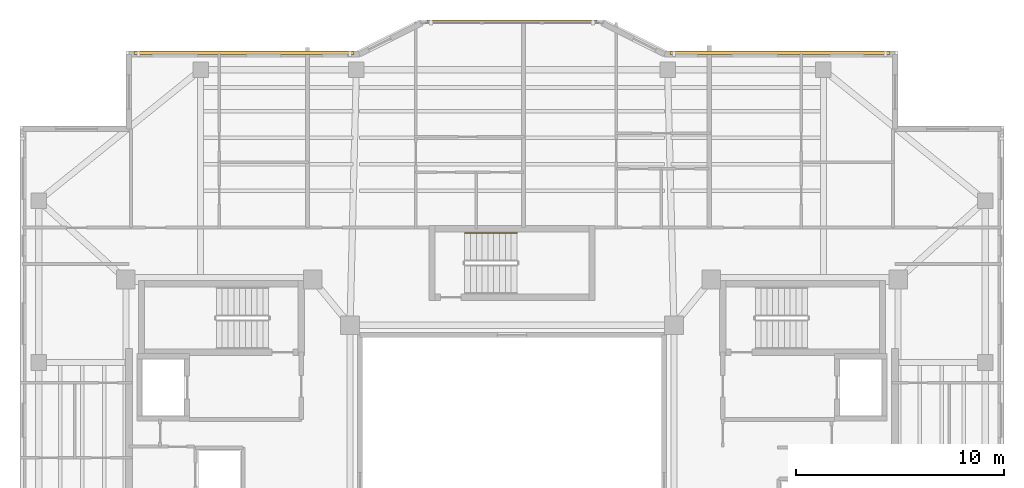
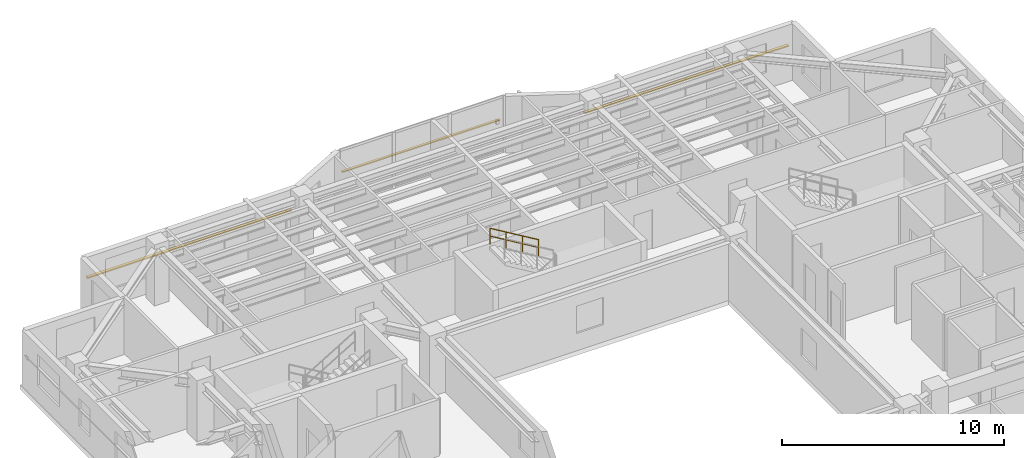
# One storey, part 12 of 12: 3 shading devices, 1 railing.
"""IFC4 building model written with IfcOpenShell, lengths in metres."""

from ifc_helpers import new_model, si_unit, direction, frame, origin, origin_2d, place, context, subcontext, project, spatial, rectangle, circle, extrude, material, material_profile, profile_set, type_object, element, save


model = new_model("IFC4")

# Units and contexts
model_context = context("Model", 3, precision=1e-05, world=origin(), true_north=direction((0.0, 1.0)))
body_context = subcontext(model_context, "Body", "Model", "MODEL_VIEW")
ifc_project = project(units=[si_unit("LENGTHUNIT", "METRE"), si_unit("AREAUNIT", "SQUARE_METRE"), si_unit("VOLUMEUNIT", "CUBIC_METRE"), si_unit("PLANEANGLEUNIT", "RADIAN"), si_unit("MASSUNIT", "GRAM", prefix="KILO")], contexts=[model_context])

# Site, building, storey
site_placement = place(None, origin())
site = spatial("IfcSite", under=ifc_project, at=site_placement, CompositionType="ELEMENT")
building_placement = place(site_placement, origin())
building = spatial("IfcBuilding", under=site, at=building_placement, Name="Tarnavaz Court Tower", CompositionType="ELEMENT")
storey_placement = place(building_placement, frame((0.0, 0.0, 207.0)))
storey = spatial("IfcBuildingStorey", under=building, at=storey_placement, Name="L56", CompositionType="ELEMENT", Elevation=207.0)

# Railing
ifc_material_1 = material(Name="Brushed Stainless Steel", Category="steel")
railing_type = type_object("IfcRailingType", Name="RL-HANDRAIL-900", PredefinedType="HANDRAIL", material=ifc_material_1)
railing_placement = place(storey_placement, frame((0.239990234375, 12.239990234375, 1.842529296875)))
element("IfcRailing", 1, at=railing_placement, inside=storey, type_object=railing_type, Name="L56 ST-N1 stair handrail 2", PredefinedType="HANDRAIL", context=body_context, shape_type="SweptSolid", body=[
    extrude(circle(Radius=0.02392578125, at=origin_2d()), frame((0.0, 0.0, 0.8759765625), z_axis=(-0.858159760407, 0.0, 0.513382728203), x_axis=(0.0, -1.0, 0.0)), (0.0, 0.0, 1.0), 2.9365234375),
    extrude(circle(Radius=0.02392578125, at=origin_2d()), frame((0.0, 0.0, 0.449951171875), z_axis=(-0.858159760407, 0.0, 0.513382728203), x_axis=(0.0, -1.0, 0.0)), (0.0, 0.0, 1.0), 2.9365234375),
    extrude(circle(Radius=0.02099609375, at=origin_2d()), origin(), (0.0, 0.0, 1.0), 0.851806640625),
    extrude(circle(Radius=0.02099609375, at=origin_2d()), frame((-0.840087890625, 0.0, 0.50244140625)), (0.0, 0.0, 1.0), 0.851806640625),
    extrude(circle(Radius=0.02099609375, at=origin_2d()), frame((-1.679931640625, 0.0, 1.005126953125)), (0.0, 0.0, 1.0), 0.851806640625),
    extrude(circle(Radius=0.02099609375, at=origin_2d()), frame((-2.52001953125, 0.0, 1.507568359375)), (0.0, 0.0, 1.0), 0.851806640625),
])

# Shading devices
ifc_material_2 = material(Name="Kiln-Fired Khorasan Terracotta Ceramic", Category="masonry")
ifc_material_profile_1 = material_profile(ifc_material_2, rectangle(XDim=0.1201171875, YDim=0.06005859375, at=origin_2d()), Name="TC BAGUETTE 120X60")
ifc_profile_set_1 = profile_set([ifc_material_profile_1], Name="Kiln-Fired Khorasan Terracotta Ceramic")
shading_device_type_1 = type_object("IfcShadingDeviceType", Name="SD-BAG-120", PredefinedType="USERDEFINED", material=ifc_profile_set_1)
shading_device_placement = place(storey_placement, frame((-4.10009765625, 22.409912109375, 1.800048828125), z_axis=(1.0, 0.0, 0.0), x_axis=(0.0, 1.0, 0.0)))
element("IfcShadingDevice", 2, at=shading_device_placement, inside=storey, type_object=shading_device_type_1, Name="L56 Terracotta Baguette Screen PBG7", ObjectType="BAGUETTE", PredefinedType="USERDEFINED", context=body_context, shape_type="SweptSolid", body=[
    extrude(rectangle(XDim=0.1201171875, YDim=0.06005859375, at=origin_2d()), origin(), (0.0, 0.0, 1.0), 8.2001953125),
])
ifc_material_profile_2 = material_profile(ifc_material_2, rectangle(XDim=0.14990234375, YDim=0.06494140625, at=origin_2d()), Name="TC BAGUETTE 150X65")
ifc_profile_set_2 = profile_set([ifc_material_profile_2], Name="Kiln-Fired Khorasan Terracotta Ceramic")
shading_device_type_2 = type_object("IfcShadingDeviceType", Name="SD-BAG-150", PredefinedType="USERDEFINED", material=ifc_profile_set_2)
for number, where, z_axis, x_axis, name in (
    (3, (-18.199951171875, 20.909912109375, 1.85009765625), (1.0, 0.0, 0.0), (0.0, 1.0, 0.0), "L56 Terracotta Baguette Screen FBG05"),
    (4, (7.60009765625, 20.909912109375, 1.85009765625), (1.0, 0.0, 0.0), (0.0, 1.0, 0.0), "L56 Terracotta Baguette Screen FBG09"),
):
    element("IfcShadingDevice", number, at=place(storey_placement, frame(where, z_axis=z_axis, x_axis=x_axis)), inside=storey, type_object=shading_device_type_2, Name=name, ObjectType="BAGUETTE", PredefinedType="USERDEFINED", context=body_context, shape_type="SweptSolid", body=[
        extrude(rectangle(XDim=0.14990234375, YDim=0.06494140625, at=origin_2d()), origin(), (0.0, 0.0, 1.0), 10.599853515625),
    ])

save(model, "model.ifc")
